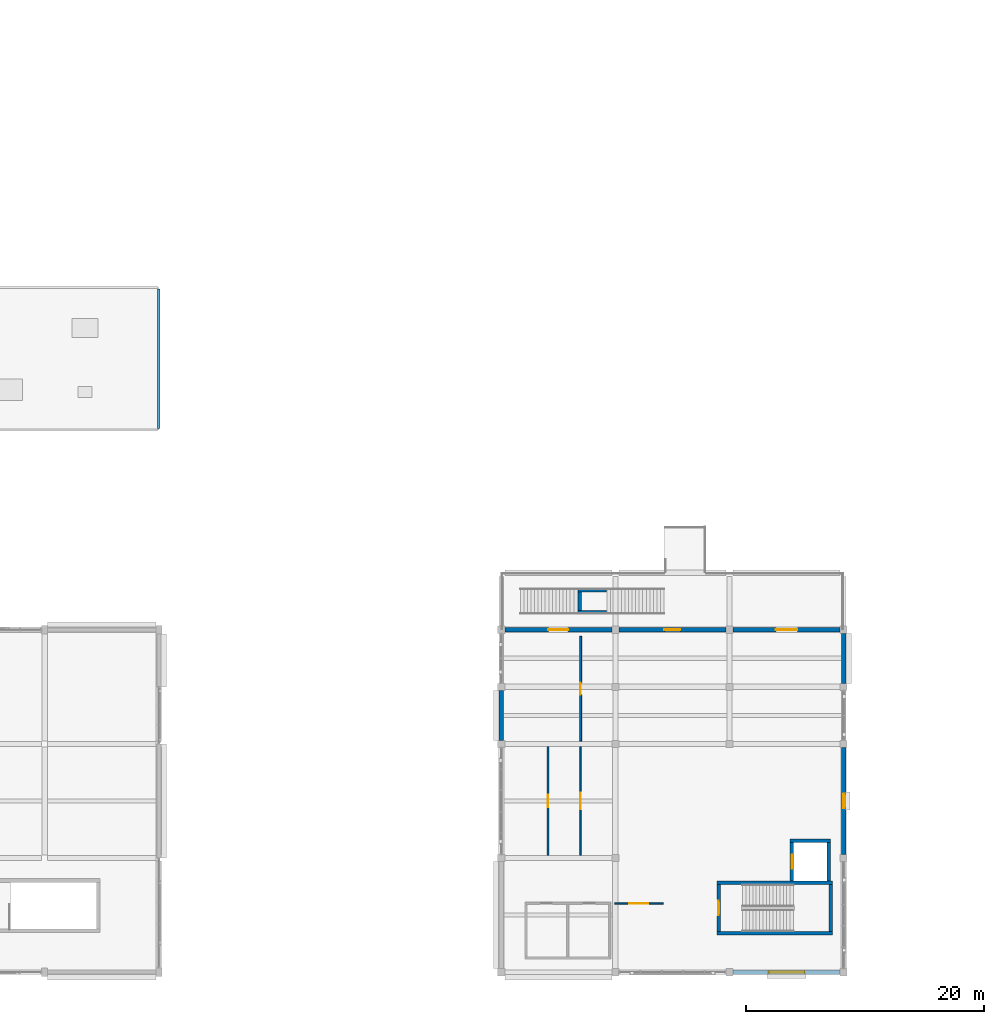
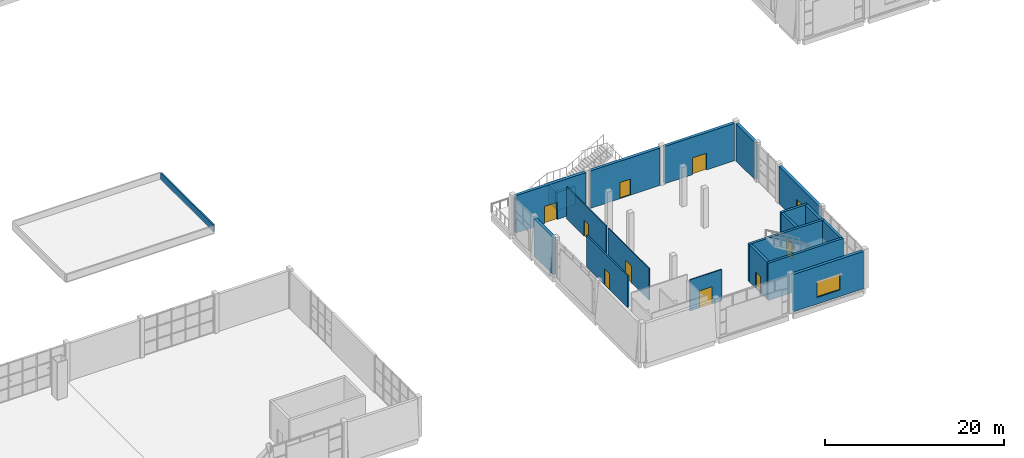
# One storey, part 46 of 72: 22 walls, 9 doors, 2 windows, 11 openings.
"""IFC4 building model written with IfcOpenShell, lengths in metres."""

import ifcopenshell
import ifcopenshell.guid

model = None  # the IFC model being written
_history = None  # IfcOwnerHistory: only IFC2X3 demands one
_inside = {}  # id of a spatial element -> (the spatial element, [elements in it])
_under = {}  # id of a project, library or spatial element -> (it, [spatial elements below it])
_declared = {}  # id of a project -> (the project, [libraries it declares])
_typed = {}  # id of a type object -> (the type object, [elements of that type])
_made_of = {}  # id of a material, layer set ... -> (it, [elements and type objects made of it])


def new_model(schema):
    """Start an empty IFC model of exactly this schema.

    Asked for "IFC4X3", IfcOpenShell would pick the latest addendum, in which some entities
    have other attributes; the version numbers below select the first issue.
    IFC2X3 requires an IfcOwnerHistory on every rooted entity: one is made here for all.
    """
    global model, _history
    if schema == "IFC4X3":
        model = ifcopenshell.file(schema_version=(4, 3, 0, 0))
    else:
        model = ifcopenshell.file(schema=schema)
    _inside.clear()
    _under.clear()
    _declared.clear()
    _typed.clear()
    _made_of.clear()
    _history = None
    if model.schema == "IFC2X3":
        org = make("IfcOrganization", Name="unknown")
        user = make(
            "IfcPersonAndOrganization",
            ThePerson=make("IfcPerson", FamilyName="unknown"),
            TheOrganization=org,
        )
        app = make(
            "IfcApplication",
            ApplicationDeveloper=org,
            Version="unknown",
            ApplicationFullName="unknown",
            ApplicationIdentifier="unknown",
        )
        _history = make(
            "IfcOwnerHistory",
            OwningUser=user,
            OwningApplication=app,
            ChangeAction="ADDED",
            CreationDate=0,
        )
    return model


def make(cls, **values):
    """One entity of the class cls with the attributes given. An attribute that is None is left unset."""
    return model.create_entity(
        cls, **{name: value for name, value in values.items() if value is not None}
    )


def rooted(cls, **values):
    """An entity with a GlobalId (a new one), such as an element, a storey or a relation."""
    return make(cls, GlobalId=ifcopenshell.guid.new(), OwnerHistory=_history, **values)


def si_unit(unit_type, name, prefix=None):
    """IfcSIUnit, for example si_unit("LENGTHUNIT", "METRE", prefix="MILLI")."""
    return make("IfcSIUnit", UnitType=unit_type, Prefix=prefix, Name=name)


def assignment(units):
    """IfcUnitAssignment: the units of a project."""
    return None if units is None else make("IfcUnitAssignment", Units=units)


def point(xyz):
    """IfcCartesianPoint."""
    return None if xyz is None else make("IfcCartesianPoint", Coordinates=xyz)


def direction(xyz):
    """IfcDirection."""
    return None if xyz is None else make("IfcDirection", DirectionRatios=xyz)


def frame(location, z_axis=None, x_axis=None):
    """IfcAxis2Placement3D, a coordinate frame: its origin and axes. An axis left out is left unset."""
    return make(
        "IfcAxis2Placement3D",
        Location=point(location),
        Axis=direction(z_axis),
        RefDirection=direction(x_axis),
    )


def frame_2d(location, x_axis=None):
    """IfcAxis2Placement2D, a coordinate frame in the plane: its origin and x axis."""
    return make(
        "IfcAxis2Placement2D", Location=point(location), RefDirection=direction(x_axis)
    )


def origin():
    """The frame at (0, 0, 0) with its axes left unset."""
    return frame((0.0, 0.0, 0.0))


def place(relative_to, where):
    """IfcLocalPlacement: puts the frame where relative to a parent placement (None: the world)."""
    return make(
        "IfcLocalPlacement", PlacementRelTo=relative_to, RelativePlacement=where
    )


def context(
    kind, dimensions, precision=None, world=None, true_north=None, identifier=None
):
    """IfcGeometricRepresentationContext, for example the 3D "Model" context."""
    return make(
        "IfcGeometricRepresentationContext",
        ContextIdentifier=identifier,
        ContextType=kind,
        CoordinateSpaceDimension=dimensions,
        Precision=precision,
        WorldCoordinateSystem=world,
        TrueNorth=true_north,
    )


def subcontext(parent, identifier, kind, view, scale=None):
    """IfcGeometricRepresentationSubContext, for example "Body" below "Model"."""
    return make(
        "IfcGeometricRepresentationSubContext",
        ContextIdentifier=identifier,
        ContextType=kind,
        ParentContext=parent,
        TargetScale=scale,
        TargetView=view,
    )


def project(units=None, contexts=None):
    """IfcProject with its units and contexts."""
    return rooted(
        "IfcProject",
        Name="project",
        RepresentationContexts=contexts,
        UnitsInContext=assignment(units),
    )


def spatial(cls, under=None, at=None, **own):
    """A site, building, storey or space (cls), placed at a placement, below another one or the project."""
    s = rooted(cls, ObjectPlacement=at, **own)
    if under is not None:
        _under.setdefault(under.id(), (under, []))[1].append(s)
    return s


def profile(cls, at=None, kind="AREA", **sizes):
    """A parametric profile (cls). Its sizes go by their IFC names, for example OverallWidth=200.0."""
    return make(cls, ProfileType=kind, Position=at, **sizes)


def rectangle(**sizes):
    """IfcRectangleProfileDef."""
    return profile("IfcRectangleProfileDef", **sizes)


def extrude(swept, where, along, depth):
    """IfcExtrudedAreaSolid: the profile swept, set in the frame where, extruded along a direction by depth."""
    return make(
        "IfcExtrudedAreaSolid",
        SweptArea=swept,
        Position=where,
        ExtrudedDirection=direction(along),
        Depth=depth,
    )


def shape(context_of_items, identifier, shape_type, items):
    """IfcShapeRepresentation: the items that make up one representation, for example the "Body"."""
    return make(
        "IfcShapeRepresentation",
        ContextOfItems=context_of_items,
        RepresentationIdentifier=identifier,
        RepresentationType=shape_type,
        Items=items,
    )


def material(Name=None, Category=None):
    """IfcMaterial."""
    return make("IfcMaterial", Name=Name, Category=Category)


def layer(
    of_material, thickness, ventilated=None, Name=None, Category=None, Priority=None
):
    """IfcMaterialLayer: one layer of a wall or slab, of a material (None: an air gap)."""
    return make(
        "IfcMaterialLayer",
        Material=of_material,
        LayerThickness=thickness,
        IsVentilated=ventilated,
        Name=Name,
        Category=Category,
        Priority=Priority,
    )


def layer_set(layers, Name=None):
    """IfcMaterialLayerSet."""
    return make("IfcMaterialLayerSet", MaterialLayers=layers, LayerSetName=Name)


def made_of(thing, what):
    """Note that an element or type object is made of a material, layer set ...; save() writes the relation."""
    if what is not None:
        _made_of.setdefault(what.id(), (what, []))[1].append(thing)
    return thing


def type_object(cls, material=None, **own):
    """A type object (cls), such as IfcWallType, which elements share."""
    return made_of(rooted(cls, **own), material)


def element(
    cls,
    number,
    at=None,
    inside=None,
    cuts=None,
    type_object=None,
    material=None,
    context=None,
    identifier="Body",
    shape_type=None,
    held_by="IfcProductDefinitionShape",
    body=None,
    shapes=None,
    **own,
):
    """One element of the class cls, such as IfcWall. Its Tag is "e" and its number.

    at: its placement. inside: the storey or other place that contains it. cuts: it is an
    opening in that element (IfcRelVoidsElement). A single representation is given by context,
    identifier, shape_type and body (its items); several are given by shapes. held_by: the class
    of the entity that holds the representations. save() writes the other relations.
    """
    e = rooted(cls, Tag="e%d" % number, ObjectPlacement=at, **own)
    if body is not None:
        shapes = [shape(context, identifier, shape_type, body)]
    if shapes is not None:
        e.Representation = make(held_by, Representations=shapes)
    if inside is not None:
        _inside.setdefault(inside.id(), (inside, []))[1].append(e)
    if cuts is not None:
        rooted(
            "IfcRelVoidsElement", RelatingBuildingElement=cuts, RelatedOpeningElement=e
        )
    if type_object is not None:
        _typed.setdefault(type_object.id(), (type_object, []))[1].append(e)
    return made_of(e, material)


def fill(opening, filler):
    """IfcRelFillsElement: the door or window that sits in an opening."""
    return rooted(
        "IfcRelFillsElement",
        RelatingOpeningElement=opening,
        RelatedBuildingElement=filler,
    )


def aggregate(whole, parts):
    """IfcRelAggregates: a whole, such as a stair, and the parts it consists of."""
    return rooted("IfcRelAggregates", RelatingObject=whole, RelatedObjects=parts)


def save(model, path):
    """Write the relations noted so far, then the file.

    IfcRelAggregates (storeys below a building ...), IfcRelContainedInSpatialStructure (elements
    in a storey), IfcRelDefinesByType, IfcRelAssociatesMaterial and IfcRelDeclares: one each for
    every whole, place, type object, material and project.
    """
    for whole, parts in _under.values():
        aggregate(whole, parts)
    for where, things in _inside.values():
        rooted(
            "IfcRelContainedInSpatialStructure",
            RelatedElements=things,
            RelatingStructure=where,
        )
    for kind, things in _typed.values():
        rooted("IfcRelDefinesByType", RelatedObjects=things, RelatingType=kind)
    for what, things in _made_of.values():
        rooted("IfcRelAssociatesMaterial", RelatedObjects=things, RelatingMaterial=what)
    for by, libraries in _declared.values():
        rooted("IfcRelDeclares", RelatingContext=by, RelatedDefinitions=libraries)
    model.write(path)


model = new_model("IFC4")

# Units and contexts
model_context = context("Model", 3, precision=1e-05, world=origin(), true_north=direction((0.0, 1.0)))
body_context = subcontext(model_context, "Body", "Model", "MODEL_VIEW")
ifc_project = project(units=[si_unit("LENGTHUNIT", "METRE"), si_unit("AREAUNIT", "SQUARE_METRE"), si_unit("VOLUMEUNIT", "CUBIC_METRE"), si_unit("PLANEANGLEUNIT", "RADIAN"), si_unit("MASSUNIT", "GRAM", prefix="KILO")], contexts=[model_context])

# Site, building, storey
site_placement = place(None, origin())
site = spatial("IfcSite", under=ifc_project, at=site_placement, CompositionType="ELEMENT")
building_placement = place(site_placement, origin())
building = spatial("IfcBuilding", under=site, at=building_placement, Name="Shalvenor Court Art Gallery", CompositionType="ELEMENT")
storey_placement = place(building_placement, frame((0.0, 0.0, 11.39990234375)))
storey = spatial("IfcBuildingStorey", under=building, at=storey_placement, Name="L02", CompositionType="ELEMENT", Elevation=11.39990234375)

# Walls
ifc_material_1 = material(Name="Concrete C40/50", Category="concrete")
ifc_layer_1 = layer(ifc_material_1, 0.31005859375, Name="Concrete C40/50")
ifc_layer_set_1 = layer_set([ifc_layer_1], Name="Concrete C40/50")
wall_type_1 = type_object("IfcWallType", Name="CW-W2", PredefinedType="SHEAR", material=ifc_layer_set_1)
wall_1_placement = place(storey_placement, frame((114.1279296875, 7.51708984375, 0.0), z_axis=(0.0, 0.0, 1.0), x_axis=(1.0, 0.0, 0.0)))
element("IfcWall", 1, at=wall_1_placement, inside=storey, type_object=wall_type_1, Name="L02 C4 Stair Core Shear Wall N", PredefinedType="SHEAR", context=body_context, shape_type="SweptSolid", body=[
    extrude(rectangle(XDim=9.744140625, YDim=0.31005859375, at=frame_2d((4.8720703125, 0.0))), origin(), (0.0, 0.0, 1.0), 5.10009765625),
])
wall_2_placement = place(storey_placement, frame((123.717041015625, 7.362060546875, 0.0), z_axis=(0.0, 0.0, 1.0), x_axis=(0.0, -1.0, 0.0)))
element("IfcWall", 2, at=wall_2_placement, inside=storey, type_object=wall_type_1, Name="L02 C4 Stair Core Shear Wall E", PredefinedType="SHEAR", context=body_context, shape_type="SweptSolid", body=[
    extrude(rectangle(XDim=3.924072265625, YDim=0.31005859375, at=frame_2d((1.9619140625, 0.0))), origin(), (0.0, 0.0, 1.0), 5.10009765625),
])
wall_3_placement = place(storey_placement, frame((123.8720703125, 3.282958984375, 0.0), z_axis=(0.0, 0.0, 1.0), x_axis=(-1.0, 0.0, 0.0)))
element("IfcWall", 3, at=wall_3_placement, inside=storey, type_object=wall_type_1, Name="L02 C4 Stair Core Shear Wall S", PredefinedType="SHEAR", context=body_context, shape_type="SweptSolid", body=[
    extrude(rectangle(XDim=9.744140625, YDim=0.31005859375, at=frame_2d((4.8720703125, 0.0))), origin(), (0.0, 0.0, 1.0), 5.10009765625),
])

# Wall, opening, door
wall_4_placement = place(storey_placement, frame((114.282958984375, 3.43798828125, 0.0), z_axis=(0.0, 0.0, 1.0), x_axis=(0.0, 1.0, 0.0)))
wall_4 = element("IfcWall", 4, at=wall_4_placement, inside=storey, type_object=wall_type_1, Name="L02 C4 Stair Core Shear Wall W", PredefinedType="SHEAR", context=body_context, shape_type="SweptSolid", body=[
    extrude(rectangle(XDim=3.924072265625, YDim=0.31005859375, at=frame_2d((1.9619140625, 0.0))), origin(), (0.0, 0.0, 1.0), 5.10009765625),
])
opening_1_placement = place(wall_4_placement, frame((1.362060546875, 0.0, 0.0)))
opening_1 = element("IfcOpeningElement", 5, at=opening_1_placement, cuts=wall_4, Name="Opening FD-01", PredefinedType="OPENING", context=body_context, shape_type="SweptSolid", body=[
    extrude(rectangle(XDim=1.199951171875, YDim=2.199951171875, at=frame_2d((0.60009765625, 1.10009765625))), frame((0.0, 0.1650390625, 0.0), z_axis=(0.0, -1.0, 0.0), x_axis=(1.0, 0.0, 0.0)), (0.0, 0.0, 1.0), 0.330078125),
])
ifc_material_2 = material(Name="Fire-rated steel stair doorset", Category="steel")
door_type_1 = type_object("IfcDoorType", Name="FD-01", OperationType="NOTDEFINED", PredefinedType="DOOR", material=ifc_material_2)
door_1_placement = place(opening_1_placement, origin())
door_1 = element("IfcDoor", 6, at=door_1_placement, inside=storey, type_object=door_type_1, Name="DR-ST-L02-C4 L02 ST-04 Fire Stair Door", OperationType="SINGLE_SWING_LEFT", OverallHeight=2.199951171875, OverallWidth=1.199951171875, PredefinedType="DOOR", context=body_context, shape_type="SweptSolid", body=[
    extrude(rectangle(XDim=1.199951171875, YDim=2.199951171875, at=frame_2d((0.60009765625, 1.10009765625))), frame((0.0, 0.02490234375, 0.0), z_axis=(0.0, -1.0, 0.0), x_axis=(1.0, 0.0, 0.0)), (0.0, 0.0, 1.0), 0.050048828125),
])
fill(opening_1, door_1)

# Walls
wall_5_placement = place(storey_placement, frame((120.2900390625, 11.054931640625, 0.0), z_axis=(0.0, 0.0, 1.0), x_axis=(1.0, 0.0, 0.0)))
element("IfcWall", 7, at=wall_5_placement, inside=storey, type_object=wall_type_1, Name="L02 PL-02 Lift Shaft Wall N", PredefinedType="SHEAR", context=body_context, shape_type="SweptSolid", body=[
    extrude(rectangle(XDim=3.419921875, YDim=0.31005859375, at=frame_2d((1.7099609375, 0.0))), origin(), (0.0, 0.0, 1.0), 5.10009765625),
])
wall_6_placement = place(storey_placement, frame((123.554931640625, 10.89990234375, 0.0), z_axis=(0.0, 0.0, 1.0), x_axis=(0.0, -1.0, 0.0)))
element("IfcWall", 8, at=wall_6_placement, inside=storey, type_object=wall_type_1, Name="L02 PL-02 Lift Shaft Wall E", PredefinedType="SHEAR", context=body_context, shape_type="SweptSolid", body=[
    extrude(rectangle(XDim=3.227783203125, YDim=0.31005859375, at=frame_2d((1.61376953125, 0.0))), origin(), (0.0, 0.0, 1.0), 5.10009765625),
])

# Wall, opening, door
wall_7_placement = place(storey_placement, frame((120.445068359375, 7.672119140625, 0.0), z_axis=(0.0, 0.0, 1.0), x_axis=(0.0, 1.0, 0.0)))
wall_7 = element("IfcWall", 9, at=wall_7_placement, inside=storey, type_object=wall_type_1, Name="L02 PL-02 Lift Shaft Wall W", PredefinedType="SHEAR", context=body_context, shape_type="SweptSolid", body=[
    extrude(rectangle(XDim=3.227783203125, YDim=0.31005859375, at=frame_2d((1.61376953125, 0.0))), origin(), (0.0, 0.0, 1.0), 5.10009765625),
])
opening_2_placement = place(wall_7_placement, frame((1.013916015625, 0.0, 0.0)))
opening_2 = element("IfcOpeningElement", 10, at=opening_2_placement, cuts=wall_7, Name="Opening LD-02", PredefinedType="OPENING", context=body_context, shape_type="SweptSolid", body=[
    extrude(rectangle(XDim=1.199951171875, YDim=2.199951171875, at=frame_2d((0.60009765625, 1.10009765625))), frame((0.0, 0.1650390625, 0.0), z_axis=(0.0, -1.0, 0.0), x_axis=(1.0, 0.0, 0.0)), (0.0, 0.0, 1.0), 0.330078125),
])
ifc_material_3 = material(Name="Brushed stainless passenger lift sliding landing door", Category="steel")
door_type_2 = type_object("IfcDoorType", Name="LD-02", OperationType="NOTDEFINED", PredefinedType="DOOR", material=ifc_material_3)
door_2_placement = place(opening_2_placement, origin())
door_2 = element("IfcDoor", 11, at=door_2_placement, inside=storey, type_object=door_type_2, Name="DR-LD-L02-PL-02 L02 PL-02 Lift Landing Sliding Door", OperationType="DOUBLE_DOOR_SLIDING", OverallHeight=2.199951171875, OverallWidth=1.199951171875, PredefinedType="DOOR", context=body_context, shape_type="SweptSolid", body=[
    extrude(rectangle(XDim=1.199951171875, YDim=2.199951171875, at=frame_2d((0.60009765625, 1.10009765625))), frame((0.0, 0.02490234375, 0.0), z_axis=(0.0, -1.0, 0.0), x_axis=(1.0, 0.0, 0.0)), (0.0, 0.0, 1.0), 0.050048828125),
])
fill(opening_2, door_2)

# Walls
ifc_material_4 = material(Name="Concrete C40/50", Category="concrete")
ifc_layer_2 = layer(ifc_material_4, 0.31005859375, Name="Concrete C40/50")
ifc_layer_set_2 = layer_set([ifc_layer_2], Name="Concrete C40/50")
wall_type_2 = type_object("IfcWallType", Name="CW-W4", PredefinedType="SHEAR", material=ifc_layer_set_2)
for number, where, z_axis, x_axis, name in (
    (12, (102.449951171875, 30.25, 0.0), (0.0, 0.0, 1.0), (1.0, 0.0, 0.0), "L02 ST-T4 Terrace Stair Support Pier S"),
    (13, (104.85009765625, 32.14990234375, 0.0), (0.0, 0.0, 1.0), (-1.0, 0.0, 0.0), "L02 ST-T4 Terrace Stair Support Pier N"),
):
    element("IfcWall", number, at=place(storey_placement, frame(where, z_axis=z_axis, x_axis=x_axis)), inside=storey, type_object=wall_type_2, Name=name, PredefinedType="SHEAR", context=body_context, shape_type="SweptSolid", body=[
        extrude(rectangle(XDim=2.400146484375, YDim=0.31005859375, at=frame_2d((1.2001953125, 0.0))), origin(), (0.0, 0.0, 1.0), 2.485107421875),
    ])
wall_8_placement = place(storey_placement, frame((102.60009765625, 30.419921875, 0.0), z_axis=(0.0, 0.0, 1.0), x_axis=(0.0, 1.0, 0.0)))
element("IfcWall", 14, at=wall_8_placement, inside=storey, type_object=wall_type_2, Name="L02 ST-T4 Terrace Stair Support Pier W", PredefinedType="SHEAR", context=body_context, shape_type="SweptSolid", body=[
    extrude(rectangle(XDim=1.56005859375, YDim=0.31005859375, at=frame_2d((0.780029296875, 0.0))), origin(), (0.0, 0.0, 1.0), 2.485107421875),
])

# Wall, opening, door
ifc_material_5 = material(Name="Concrete C40/50", Category="concrete")
ifc_layer_3 = layer(ifc_material_5, 0.3798828125, Name="Concrete C40/50")
ifc_layer_set_3 = layer_set([ifc_layer_3], Name="Concrete C40/50")
wall_type_3 = type_object("IfcWallType", Name="EW-03", PredefinedType="SOLIDWALL", material=ifc_layer_set_3)
wall_9_placement = place(storey_placement, frame((96.300048828125, 28.800048828125, 0.0), z_axis=(0.0, 0.0, 1.0), x_axis=(1.0, 0.0, 0.0)))
wall_9 = element("IfcWall", 15, at=wall_9_placement, inside=storey, type_object=wall_type_3, Name="L02 V3 Exterior Wall WL-L02-0198", PredefinedType="SOLIDWALL", context=body_context, shape_type="SweptSolid", body=[
    extrude(rectangle(XDim=9.0, YDim=0.3798828125, at=frame_2d((4.5, 0.0))), origin(), (0.0, 0.0, 1.0), 5.10009765625),
])
opening_3_placement = place(wall_9_placement, frame((3.675048828125, 0.0, 0.0)))
opening_3 = element("IfcOpeningElement", 16, at=opening_3_placement, cuts=wall_9, Name="Opening TD-05", PredefinedType="OPENING", context=body_context, shape_type="SweptSolid", body=[
    extrude(rectangle(XDim=1.64990234375, YDim=2.35009765625, at=frame_2d((0.824951171875, 1.175048828125))), frame((0.0, 0.199951171875, 0.0), z_axis=(0.0, -1.0, 0.0), x_axis=(1.0, 0.0, 0.0)), (0.0, 0.0, 1.0), 0.39990234375),
])
ifc_material_6 = material(Name="Anodised aluminium glazed terrace door", Category="aluminium")
door_type_3 = type_object("IfcDoorType", Name="TD-05", OperationType="NOTDEFINED", PredefinedType="DOOR", material=ifc_material_6)
door_3_placement = place(opening_3_placement, origin())
door_3 = element("IfcDoor", 17, at=door_3_placement, inside=storey, type_object=door_type_3, Name="DR-TR-035 L02 Gallery Terrace Door", OperationType="DOUBLE_DOOR_SINGLE_SWING", OverallHeight=2.35009765625, OverallWidth=1.64990234375, PredefinedType="DOOR", context=body_context, shape_type="SweptSolid", body=[
    extrude(rectangle(XDim=1.64990234375, YDim=2.35009765625, at=frame_2d((0.824951171875, 1.175048828125))), frame((0.0, 0.02490234375, 0.0), z_axis=(0.0, -1.0, 0.0), x_axis=(1.0, 0.0, 0.0)), (0.0, 0.0, 1.0), 0.050048828125),
])
fill(opening_3, door_3)

wall_10_placement = place(storey_placement, frame((105.89990234375, 28.800048828125, 0.0), z_axis=(0.0, 0.0, 1.0), x_axis=(1.0, 0.0, 0.0)))
wall_10 = element("IfcWall", 18, at=wall_10_placement, inside=storey, type_object=wall_type_3, Name="L02 V3 Exterior Wall WL-L02-0199", PredefinedType="SOLIDWALL", context=body_context, shape_type="SweptSolid", body=[
    extrude(rectangle(XDim=9.0, YDim=0.3798828125, at=frame_2d((4.5, 0.0))), origin(), (0.0, 0.0, 1.0), 5.10009765625),
])
opening_4_placement = place(wall_10_placement, frame((3.824951171875, 0.0, 0.0)))
opening_4 = element("IfcOpeningElement", 19, at=opening_4_placement, cuts=wall_10, Name="Opening TD-06", PredefinedType="OPENING", context=body_context, shape_type="SweptSolid", body=[
    extrude(rectangle(XDim=1.35009765625, YDim=2.199951171875, at=frame_2d((0.675048828125, 1.10009765625))), frame((0.0, 0.199951171875, 0.0), z_axis=(0.0, -1.0, 0.0), x_axis=(1.0, 0.0, 0.0)), (0.0, 0.0, 1.0), 0.39990234375),
])
ifc_material_7 = material(Name="Anodised aluminium glazed terrace door", Category="aluminium")
door_type_4 = type_object("IfcDoorType", Name="TD-06", OperationType="NOTDEFINED", PredefinedType="DOOR", material=ifc_material_7)
door_4_placement = place(opening_4_placement, origin())
door_4 = element("IfcDoor", 20, at=door_4_placement, inside=storey, type_object=door_type_4, Name="DR-TR-036 L02 Gallery Terrace Door", OperationType="SINGLE_SWING_RIGHT", OverallHeight=2.199951171875, OverallWidth=1.35009765625, PredefinedType="DOOR", context=body_context, shape_type="SweptSolid", body=[
    extrude(rectangle(XDim=1.35009765625, YDim=2.199951171875, at=frame_2d((0.675048828125, 1.10009765625))), frame((0.0, 0.02490234375, 0.0), z_axis=(0.0, -1.0, 0.0), x_axis=(1.0, 0.0, 0.0)), (0.0, 0.0, 1.0), 0.050048828125),
])
fill(opening_4, door_4)

wall_11_placement = place(storey_placement, frame((115.5, 28.800048828125, 0.0), z_axis=(0.0, 0.0, 1.0), x_axis=(1.0, 0.0, 0.0)))
wall_11 = element("IfcWall", 21, at=wall_11_placement, inside=storey, type_object=wall_type_3, Name="L02 V3 Exterior Wall WL-L02-0200", PredefinedType="SOLIDWALL", context=body_context, shape_type="SweptSolid", body=[
    extrude(rectangle(XDim=9.0, YDim=0.3798828125, at=frame_2d((4.5, 0.0))), origin(), (0.0, 0.0, 1.0), 5.10009765625),
])
opening_5_placement = place(wall_11_placement, frame((3.60009765625, 0.0, 0.0)))
opening_5 = element("IfcOpeningElement", 22, at=opening_5_placement, cuts=wall_11, Name="Opening TD-01", PredefinedType="OPENING", context=body_context, shape_type="SweptSolid", body=[
    extrude(rectangle(XDim=1.800048828125, YDim=2.300048828125, at=frame_2d((0.89990234375, 1.14990234375))), frame((0.0, 0.199951171875, 0.0), z_axis=(0.0, -1.0, 0.0), x_axis=(1.0, 0.0, 0.0)), (0.0, 0.0, 1.0), 0.39990234375),
])
ifc_material_8 = material(Name="Anodised aluminium glazed terrace door", Category="aluminium")
door_type_5 = type_object("IfcDoorType", Name="TD-01", OperationType="NOTDEFINED", PredefinedType="DOOR", material=ifc_material_8)
door_5_placement = place(opening_5_placement, origin())
door_5 = element("IfcDoor", 23, at=door_5_placement, inside=storey, type_object=door_type_5, Name="DR-TR-037 L02 Gallery Terrace Door", OperationType="DOUBLE_DOOR_SINGLE_SWING", OverallHeight=2.300048828125, OverallWidth=1.800048828125, PredefinedType="DOOR", context=body_context, shape_type="SweptSolid", body=[
    extrude(rectangle(XDim=1.800048828125, YDim=2.300048828125, at=frame_2d((0.89990234375, 1.14990234375))), frame((0.0, 0.02490234375, 0.0), z_axis=(0.0, -1.0, 0.0), x_axis=(1.0, 0.0, 0.0)), (0.0, 0.0, 1.0), 0.050048828125),
])
fill(opening_5, door_5)

# Wall
wall_12_placement = place(storey_placement, frame((124.800048828125, 28.5, 0.0), z_axis=(0.0, 0.0, 1.0), x_axis=(0.0, -1.0, 0.0)))
element("IfcWall", 24, at=wall_12_placement, inside=storey, type_object=wall_type_3, Name="L02 V3 Exterior Wall WL-L02-0201", PredefinedType="SOLIDWALL", context=body_context, shape_type="SweptSolid", body=[
    extrude(rectangle(XDim=4.199951171875, YDim=0.3798828125, at=frame_2d((2.10009765625, 0.0))), origin(), (0.0, 0.0, 1.0), 5.10009765625),
])

# Wall, opening, window
wall_13_placement = place(storey_placement, frame((124.800048828125, 18.89990234375, 0.0), z_axis=(0.0, 0.0, 1.0), x_axis=(0.0, -1.0, 0.0)))
wall_13 = element("IfcWall", 25, at=wall_13_placement, inside=storey, type_object=wall_type_3, Name="L02 V3 Exterior Wall WL-L02-0202", PredefinedType="SOLIDWALL", context=body_context, shape_type="SweptSolid", body=[
    extrude(rectangle(XDim=9.0, YDim=0.3798828125, at=frame_2d((4.5, 0.0))), origin(), (0.0, 0.0, 1.0), 5.10009765625),
])
opening_6_placement = place(wall_13_placement, frame((3.89990234375, 0.0, 0.89990234375)))
opening_6 = element("IfcOpeningElement", 26, at=opening_6_placement, cuts=wall_13, Name="Opening WN-08", PredefinedType="OPENING", context=body_context, shape_type="SweptSolid", body=[
    extrude(rectangle(XDim=1.199951171875, YDim=2.10009765625, at=frame_2d((0.60009765625, 1.050048828125))), frame((0.0, 0.199951171875, 0.0), z_axis=(0.0, -1.0, 0.0), x_axis=(1.0, 0.0, 0.0)), (0.0, 0.0, 1.0), 0.39990234375),
])
ifc_material_9 = material(Name="Low-iron solar-control double IGU", Category="glass")
window_type_1 = type_object("IfcWindowType", Name="WN-08", PartitioningType="SINGLE_PANEL", PredefinedType="WINDOW", material=ifc_material_9)
window_1_placement = place(opening_6_placement, origin())
window_1 = element("IfcWindow", 27, at=window_1_placement, inside=storey, type_object=window_type_1, Name="L02 Window WIN-L02-0052", OverallHeight=2.10009765625, OverallWidth=1.199951171875, PartitioningType="SINGLE_PANEL", PredefinedType="WINDOW", context=body_context, shape_type="SweptSolid", body=[
    extrude(rectangle(XDim=1.199951171875, YDim=2.10009765625, at=frame_2d((0.60009765625, 1.050048828125))), frame((0.0, 0.030029296875, 0.0), z_axis=(0.0, -1.0, 0.0), x_axis=(1.0, 0.0, 0.0)), (0.0, 0.0, 1.0), 0.06005859375),
])
fill(opening_6, window_1)

wall_14_placement = place(storey_placement, frame((124.5, 0.0, 0.0), z_axis=(0.0, 0.0, 1.0), x_axis=(-1.0, 0.0, 0.0)))
wall_14 = element("IfcWall", 28, at=wall_14_placement, inside=storey, type_object=wall_type_3, Name="L02 V3 Exterior Wall WL-L02-0203", PredefinedType="SOLIDWALL", context=body_context, shape_type="SweptSolid", body=[
    extrude(rectangle(XDim=9.0, YDim=0.3798828125, at=frame_2d((4.5, 0.0))), origin(), (0.0, 0.0, 1.0), 5.10009765625),
])
opening_7_placement = place(wall_14_placement, frame((3.0, 0.0, 0.89990234375)))
opening_7 = element("IfcOpeningElement", 29, at=opening_7_placement, cuts=wall_14, Name="Opening WN-09", PredefinedType="OPENING", context=body_context, shape_type="SweptSolid", body=[
    extrude(rectangle(XDim=3.0, YDim=2.199951171875, at=frame_2d((1.5, 1.10009765625))), frame((0.0, 0.199951171875, 0.0), z_axis=(0.0, -1.0, 0.0), x_axis=(1.0, 0.0, 0.0)), (0.0, 0.0, 1.0), 0.39990234375),
])
ifc_material_10 = material(Name="North-light conservation clear IGU", Category="glass")
window_type_2 = type_object("IfcWindowType", Name="WN-09", PartitioningType="SINGLE_PANEL", PredefinedType="WINDOW", material=ifc_material_10)
window_2_placement = place(opening_7_placement, origin())
window_2 = element("IfcWindow", 30, at=window_2_placement, inside=storey, type_object=window_type_2, Name="L02 Window WIN-L02-0053", OverallHeight=2.199951171875, OverallWidth=3.0, PartitioningType="SINGLE_PANEL", PredefinedType="WINDOW", context=body_context, shape_type="SweptSolid", body=[
    extrude(rectangle(XDim=3.0, YDim=2.199951171875, at=frame_2d((1.5, 1.10009765625))), frame((0.0, 0.030029296875, 0.0), z_axis=(0.0, -1.0, 0.0), x_axis=(1.0, 0.0, 0.0)), (0.0, 0.0, 1.0), 0.06005859375),
])
fill(opening_7, window_2)

# Wall
wall_15_placement = place(storey_placement, frame((96.0, 19.5, 0.0), z_axis=(0.0, 0.0, 1.0), x_axis=(0.0, 1.0, 0.0)))
element("IfcWall", 31, at=wall_15_placement, inside=storey, type_object=wall_type_3, Name="L02 V3 Exterior Wall WL-L02-0206", PredefinedType="SOLIDWALL", context=body_context, shape_type="SweptSolid", body=[
    extrude(rectangle(XDim=4.199951171875, YDim=0.3798828125, at=frame_2d((2.10009765625, 0.0))), origin(), (0.0, 0.0, 1.0), 5.10009765625),
])

# Wall, opening, door
ifc_material_11 = material(Name="Plywood-backed acoustic art-hanging partition", Category="wood")
ifc_layer_4 = layer(ifc_material_11, 0.179931640625, Name="Plywood-backed acoustic art-hanging partition")
ifc_layer_set_4 = layer_set([ifc_layer_4], Name="Plywood-backed acoustic art-hanging partition")
wall_type_4 = type_object("IfcWallType", Name="PT-01", PredefinedType="PARTITIONING", material=ifc_layer_set_4)
wall_16_placement = place(storey_placement, frame((99.919921875, 18.969970703125, 0.0), z_axis=(0.0, 0.0, 1.0), x_axis=(0.0, -1.0, 0.0)))
wall_16 = element("IfcWall", 32, at=wall_16_placement, inside=storey, type_object=wall_type_4, Name="L02 Print Study Cabinet Wing B Partition 649", PredefinedType="PARTITIONING", context=body_context, shape_type="SweptSolid", body=[
    extrude(rectangle(XDim=9.139892578125, YDim=0.179931640625, at=frame_2d((4.56982421875, 0.0))), origin(), (0.0, 0.0, 1.0), 4.3251953125),
])
opening_8_placement = place(wall_16_placement, frame((4.044921875, 0.0, 0.0)))
opening_8 = element("IfcOpeningElement", 33, at=opening_8_placement, cuts=wall_16, Name="Opening ID-04", PredefinedType="OPENING", context=body_context, shape_type="SweptSolid", body=[
    extrude(rectangle(XDim=1.050048828125, YDim=2.199951171875, at=frame_2d((0.52490234375, 1.10009765625))), frame((0.0, 0.099853515625, 0.0), z_axis=(0.0, -1.0, 0.0), x_axis=(1.0, 0.0, 0.0)), (0.0, 0.0, 1.0), 0.199951171875),
])
ifc_material_12 = material(Name="Oak-veneered accessible room doorset", Category="wood")
door_type_6 = type_object("IfcDoorType", Name="ID-04", OperationType="NOTDEFINED", PredefinedType="DOOR", material=ifc_material_12)
door_6_placement = place(opening_8_placement, origin())
door_6 = element("IfcDoor", 34, at=door_6_placement, inside=storey, type_object=door_type_6, Name="DR-RM-L02-0180 L02 Print Study Cabinet Wing B Door", OperationType="SINGLE_SWING_LEFT", OverallHeight=2.199951171875, OverallWidth=1.050048828125, PredefinedType="DOOR", context=body_context, shape_type="SweptSolid", body=[
    extrude(rectangle(XDim=1.050048828125, YDim=2.199951171875, at=frame_2d((0.52490234375, 1.10009765625))), frame((0.0, 0.02490234375, 0.0), z_axis=(0.0, -1.0, 0.0), x_axis=(1.0, 0.0, 0.0)), (0.0, 0.0, 1.0), 0.050048828125),
])
fill(opening_8, door_6)

ifc_material_13 = material(Name="Double-stud acoustic gallery partition", Category="other")
ifc_layer_5 = layer(ifc_material_13, 0.1650390625, Name="Double-stud acoustic gallery partition")
ifc_layer_set_5 = layer_set([ifc_layer_5], Name="Double-stud acoustic gallery partition")
wall_type_5 = type_object("IfcWallType", Name="PT-02", PredefinedType="PARTITIONING", material=ifc_layer_set_5)
wall_17_placement = place(storey_placement, frame((102.679931640625, 19.429931640625, 0.0), z_axis=(0.0, 0.0, 1.0), x_axis=(0.0, 1.0, 0.0)))
wall_17 = element("IfcWall", 35, at=wall_17_placement, inside=storey, type_object=wall_type_5, Name="L02 Curatorial Research Library Partition 650", PredefinedType="PARTITIONING", context=body_context, shape_type="SweptSolid", body=[
    extrude(rectangle(XDim=8.820068359375, YDim=0.1650390625, at=frame_2d((4.41015625, 0.0))), origin(), (0.0, 0.0, 1.0), 4.3251953125),
])
opening_9_placement = place(wall_17_placement, frame((3.909912109375, 0.0, 0.0)))
opening_9 = element("IfcOpeningElement", 36, at=opening_9_placement, cuts=wall_17, Name="Opening ID-05", PredefinedType="OPENING", context=body_context, shape_type="SweptSolid", body=[
    extrude(rectangle(XDim=1.0, YDim=2.14990234375, at=frame_2d((0.5, 1.074951171875))), frame((0.0, 0.092529296875, 0.0), z_axis=(0.0, -1.0, 0.0), x_axis=(1.0, 0.0, 0.0)), (0.0, 0.0, 1.0), 0.18505859375),
])
ifc_material_14 = material(Name="Timber office single doorset", Category="wood")
door_type_7 = type_object("IfcDoorType", Name="ID-05", OperationType="NOTDEFINED", PredefinedType="DOOR", material=ifc_material_14)
door_7_placement = place(opening_9_placement, origin())
door_7 = element("IfcDoor", 37, at=door_7_placement, inside=storey, type_object=door_type_7, Name="DR-RM-L02-0181 L02 Curatorial Research Library Door", OperationType="SINGLE_SWING_RIGHT", OverallHeight=2.14990234375, OverallWidth=1.0, PredefinedType="DOOR", context=body_context, shape_type="SweptSolid", body=[
    extrude(rectangle(XDim=1.0, YDim=2.14990234375, at=frame_2d((0.5, 1.074951171875))), frame((0.0, 0.02490234375, 0.0), z_axis=(0.0, -1.0, 0.0), x_axis=(1.0, 0.0, 0.0)), (0.0, 0.0, 1.0), 0.050048828125),
])
fill(opening_9, door_7)

ifc_material_15 = material(Name="Insulated studio acoustic partition", Category="other")
ifc_layer_6 = layer(ifc_material_15, 0.135009765625, Name="Insulated studio acoustic partition")
ifc_layer_set_6 = layer_set([ifc_layer_6], Name="Insulated studio acoustic partition")
wall_type_6 = type_object("IfcWallType", Name="PT-04", PredefinedType="PARTITIONING", material=ifc_layer_set_6)
wall_18_placement = place(storey_placement, frame((105.530029296875, 5.77001953125, 0.0), z_axis=(0.0, 0.0, 1.0), x_axis=(1.0, 0.0, 0.0)))
wall_18 = element("IfcWall", 38, at=wall_18_placement, inside=storey, type_object=wall_type_6, Name="L02 Works On Paper Gallery Partition 647", PredefinedType="PARTITIONING", context=body_context, shape_type="SweptSolid", body=[
    extrude(rectangle(XDim=4.099853515625, YDim=0.135009765625, at=frame_2d((2.0498046875, 0.0))), origin(), (0.0, 0.0, 1.0), 4.275146484375),
])
opening_10_placement = place(wall_18_placement, frame((1.25, 0.0, 0.0)))
opening_10 = element("IfcOpeningElement", 39, at=opening_10_placement, cuts=wall_18, Name="Opening ID-02", PredefinedType="OPENING", context=body_context, shape_type="SweptSolid", body=[
    extrude(rectangle(XDim=1.60009765625, YDim=2.35009765625, at=frame_2d((0.800048828125, 1.175048828125))), frame((0.0, 0.077392578125, 0.0), z_axis=(0.0, -1.0, 0.0), x_axis=(1.0, 0.0, 0.0)), (0.0, 0.0, 1.0), 0.155029296875),
])
ifc_material_16 = material(Name="Oak-veneered gallery double doorset", Category="wood")
door_type_8 = type_object("IfcDoorType", Name="ID-02", OperationType="NOTDEFINED", PredefinedType="DOOR", material=ifc_material_16)
door_8_placement = place(opening_10_placement, origin())
door_8 = element("IfcDoor", 40, at=door_8_placement, inside=storey, type_object=door_type_8, Name="DR-RM-L02-0178 L02 Works On Paper Gallery Door", OperationType="DOUBLE_DOOR_SINGLE_SWING", OverallHeight=2.35009765625, OverallWidth=1.60009765625, PredefinedType="DOOR", context=body_context, shape_type="SweptSolid", body=[
    extrude(rectangle(XDim=1.60009765625, YDim=2.35009765625, at=frame_2d((0.800048828125, 1.175048828125))), frame((0.0, 0.02490234375, 0.0), z_axis=(0.0, -1.0, 0.0), x_axis=(1.0, 0.0, 0.0)), (0.0, 0.0, 1.0), 0.050048828125),
])
fill(opening_10, door_8)

ifc_material_17 = material(Name="Lightweight office gypsum partition", Category="other")
ifc_layer_7 = layer(ifc_material_17, 0.1201171875, Name="Lightweight office gypsum partition")
ifc_layer_set_7 = layer_set([ifc_layer_7], Name="Lightweight office gypsum partition")
wall_type_7 = type_object("IfcWallType", Name="PT-05", PredefinedType="PARTITIONING", material=ifc_layer_set_7)
wall_19_placement = place(storey_placement, frame((102.679931640625, 9.830078125, 0.0), z_axis=(0.0, 0.0, 1.0), x_axis=(0.0, 1.0, 0.0)))
wall_19 = element("IfcWall", 41, at=wall_19_placement, inside=storey, type_object=wall_type_7, Name="L02 Print Study Cabinet Partition 648", PredefinedType="PARTITIONING", context=body_context, shape_type="SweptSolid", body=[
    extrude(rectangle(XDim=9.139892578125, YDim=0.1201171875, at=frame_2d((4.56982421875, 0.0))), origin(), (0.0, 0.0, 1.0), 4.3251953125),
])
opening_11_placement = place(wall_19_placement, frame((3.8701171875, 0.0, 0.0)))
opening_11 = element("IfcOpeningElement", 42, at=opening_11_placement, cuts=wall_19, Name="Opening ID-03", PredefinedType="OPENING", context=body_context, shape_type="SweptSolid", body=[
    extrude(rectangle(XDim=1.39990234375, YDim=2.300048828125, at=frame_2d((0.699951171875, 1.14990234375))), frame((0.0, 0.070068359375, 0.0), z_axis=(0.0, -1.0, 0.0), x_axis=(1.0, 0.0, 0.0)), (0.0, 0.0, 1.0), 0.14013671875),
])
ifc_material_18 = material(Name="Timber studio double leaf doorset", Category="wood")
door_type_9 = type_object("IfcDoorType", Name="ID-03", OperationType="NOTDEFINED", PredefinedType="DOOR", material=ifc_material_18)
door_9_placement = place(opening_11_placement, origin())
door_9 = element("IfcDoor", 43, at=door_9_placement, inside=storey, type_object=door_type_9, Name="DR-RM-L02-0179 L02 Print Study Cabinet Door", OperationType="DOUBLE_DOOR_SINGLE_SWING", OverallHeight=2.300048828125, OverallWidth=1.39990234375, PredefinedType="DOOR", context=body_context, shape_type="SweptSolid", body=[
    extrude(rectangle(XDim=1.39990234375, YDim=2.300048828125, at=frame_2d((0.699951171875, 1.14990234375))), frame((0.0, 0.02490234375, 0.0), z_axis=(0.0, -1.0, 0.0), x_axis=(1.0, 0.0, 0.0)), (0.0, 0.0, 1.0), 0.050048828125),
])
fill(opening_11, door_9)

# Wall
ifc_material_19 = material(Name="Precast concrete C40/50", Category="concrete")
ifc_layer_8 = layer(ifc_material_19, 0.18994140625, Name="Precast concrete C40/50")
ifc_layer_set_8 = layer_set([ifc_layer_8], Name="Precast concrete C40/50")
wall_type_8 = type_object("IfcWallType", Name="PW-02", PredefinedType="PARAPET", material=ifc_layer_set_8)
wall_20_placement = place(storey_placement, frame((67.199951171875, 45.719970703125, 0.0), z_axis=(0.0, 0.0, 1.0), x_axis=(0.0, 1.0, 0.0)))
element("IfcWall", 44, at=wall_20_placement, inside=storey, type_object=wall_type_8, Name="PAR-0343 L02 Roof Parapet", PredefinedType="PARAPET", context=body_context, shape_type="SweptSolid", body=[
    extrude(rectangle(XDim=11.760009765625, YDim=0.18994140625, at=frame_2d((5.8798828125, 0.0))), origin(), (0.0, 0.0, 1.0), 0.9501953125),
])

save(model, "model.ifc")
